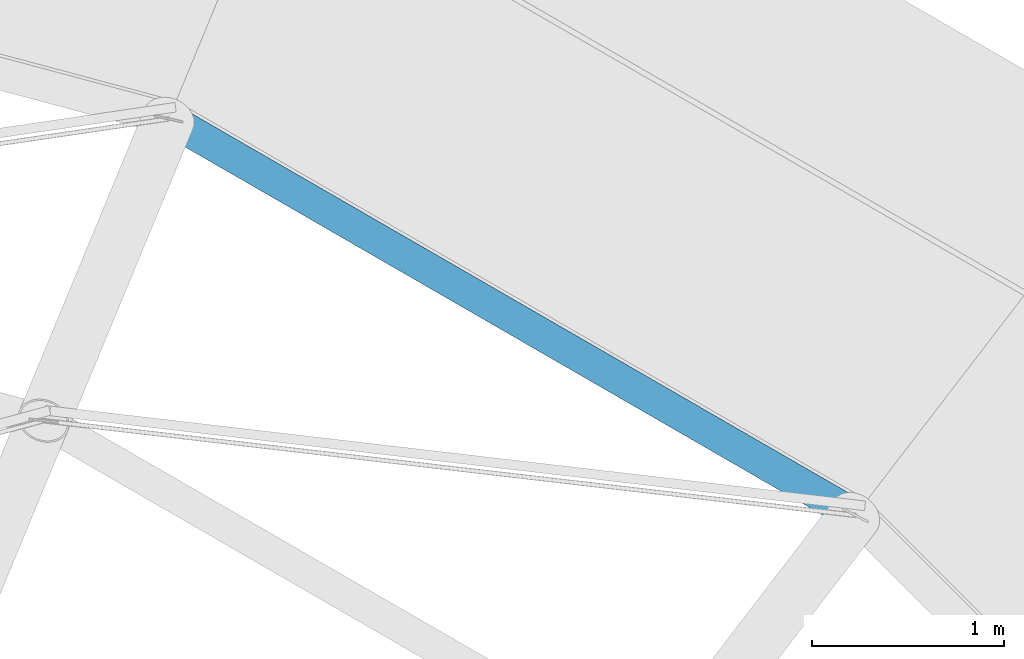
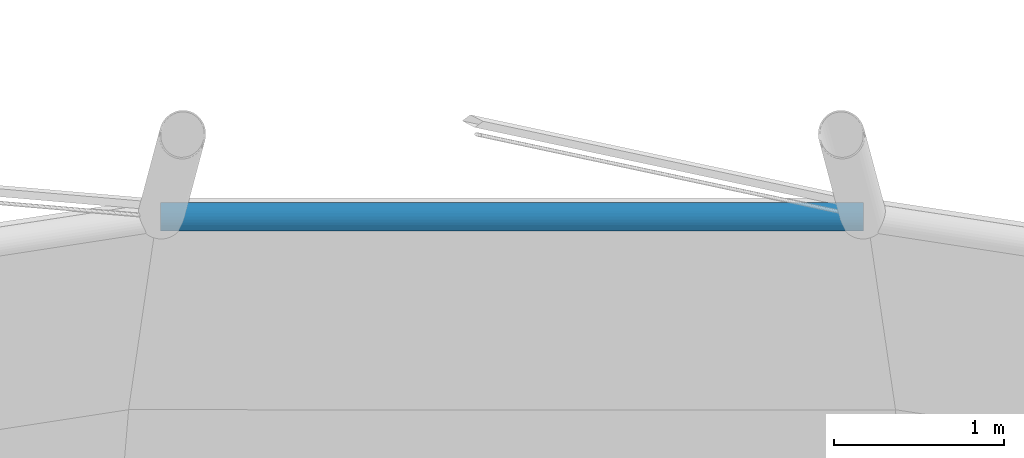
# One storey, part 10 of 62: 1 member.
"""IFC4 building model written with IfcOpenShell, lengths in metres."""

from ifc_helpers import new_model, si_unit, direction, frame, origin, origin_2d, place, context, subcontext, project, spatial, hollow_circle, extrude, material, material_profile, profile_set, type_object, element, save


model = new_model("IFC4")

# Units and contexts
model_context = context("Model", 3, precision=1e-05, world=origin(), true_north=direction((0.0, 1.0)))
body_context = subcontext(model_context, "Body", "Model", "MODEL_VIEW")
ifc_project = project(units=[si_unit("LENGTHUNIT", "METRE"), si_unit("AREAUNIT", "SQUARE_METRE"), si_unit("VOLUMEUNIT", "CUBIC_METRE"), si_unit("PLANEANGLEUNIT", "RADIAN"), si_unit("MASSUNIT", "GRAM", prefix="KILO")], contexts=[model_context])

# Site, building, storey
site_placement = place(None, origin())
site = spatial("IfcSite", under=ifc_project, at=site_placement, CompositionType="ELEMENT")
building_placement = place(site_placement, origin())
building = spatial("IfcBuilding", under=site, at=building_placement, Name="Hortulan Conservatory and Botanical Research Centre", CompositionType="ELEMENT")
storey_placement = place(building_placement, frame((0.0, 0.0, 15.0)))
storey = spatial("IfcBuildingStorey", under=building, at=storey_placement, Name="L03", CompositionType="ELEMENT", Elevation=15.0)

# Member
ifc_material = material(Name="Steel Grade C350L0 (350 MPa, AS/NZS 1163)", Category="steel")
ifc_material_profile = material_profile(ifc_material, hollow_circle(Radius=0.084228515625, WallThickness=0.00634765625, at=origin_2d()), Name="168.3x6.4CHS")
ifc_profile_set = profile_set([ifc_material_profile], Name="Steel Grade C350L0 (350 MPa, AS/NZS 1163)")
member_type = type_object("IfcMemberType", Name="Dome Ring 168.3x6.4 CHS", PredefinedType="PURLIN", material=ifc_profile_set)
member_placement = place(storey_placement, frame((63.619873046875, 30.536865234375, 0.515380859375), z_axis=(-0.866009168642, 0.500028119036, 0.0), x_axis=(-0.500028119036, -0.866009168642, 0.0)))
element("IfcMember", 1, at=member_placement, inside=storey, type_object=member_type, Name="Dome ring 2 chord 04", PredefinedType="PURLIN", context=body_context, shape_type="SweptSolid", body=[
    extrude(hollow_circle(Radius=0.084228515625, WallThickness=0.00634765625, at=origin_2d()), origin(), (0.0, 0.0, 1.0), 4.125244140625),
])

save(model, "model.ifc")
